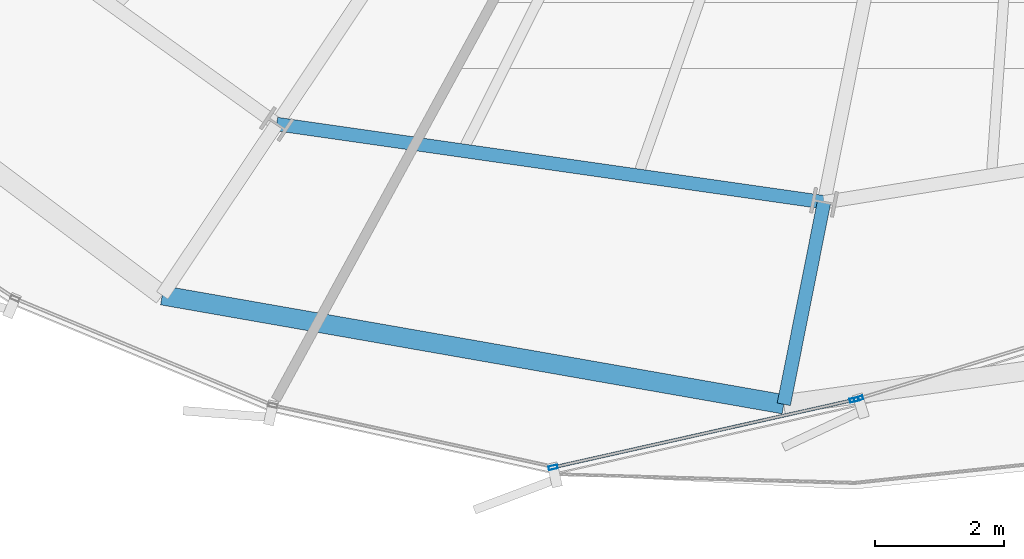
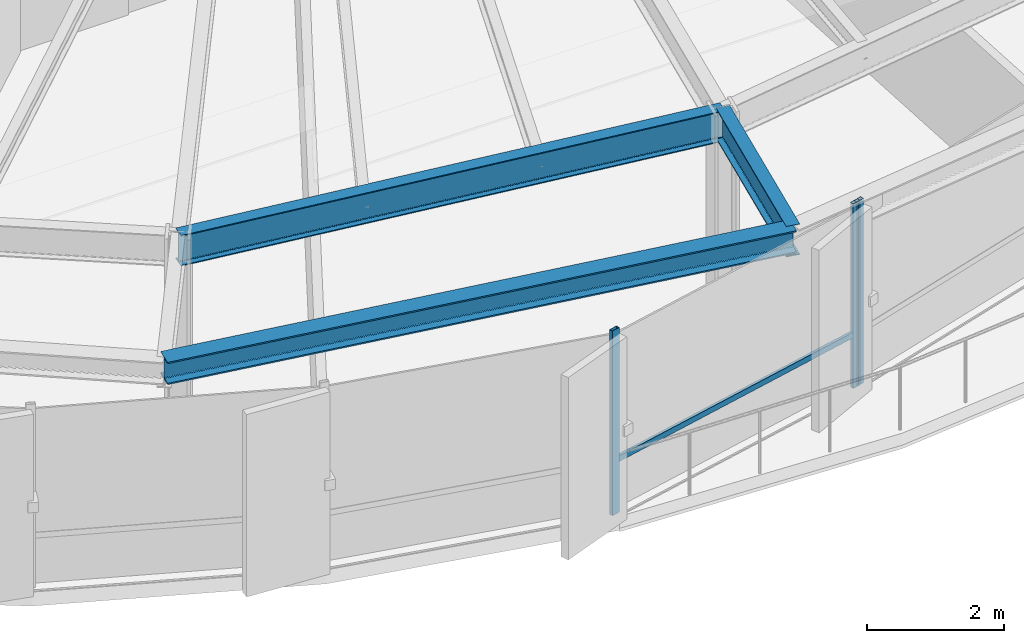
# One storey, part 5 of 36: 4 members, 3 beams, 2 elements without a shape of their own.
"""IFC4 building model written with IfcOpenShell, lengths in metres."""

from ifc_helpers import new_model, si_unit, direction, frame, origin, origin_2d, place, context, subcontext, project, spatial, hollow_rectangle, i_section, extrude, source, transform, mapped, material, layer, layer_set, material_profile, profile_set, type_object, element, aggregate, save


model = new_model("IFC4")

# Units and contexts
model_context = context("Model", 3, precision=1e-05, world=origin(), true_north=direction((0.0, 1.0)))
body_context = subcontext(model_context, "Body", "Model", "MODEL_VIEW")
ifc_project = project(units=[si_unit("LENGTHUNIT", "METRE"), si_unit("AREAUNIT", "SQUARE_METRE"), si_unit("VOLUMEUNIT", "CUBIC_METRE"), si_unit("PLANEANGLEUNIT", "RADIAN"), si_unit("MASSUNIT", "GRAM", prefix="KILO"), si_unit("THERMODYNAMICTEMPERATUREUNIT", "KELVIN")], contexts=[model_context])

# Site, building, storey
site_placement = place(None, origin())
site = spatial("IfcSite", under=ifc_project, at=site_placement, CompositionType="ELEMENT")
building_placement = place(site_placement, origin())
building = spatial("IfcBuilding", under=site, at=building_placement, Name="Kethvar Cultural Tower", CompositionType="ELEMENT")
storey_placement = place(building_placement, frame((0.0, 0.0, 143.0)))
storey = spatial("IfcBuildingStorey", under=building, at=storey_placement, Name="L36", CompositionType="ELEMENT", Elevation=143.0)

# Beams
ifc_material_1 = material(Name="Steel S355J2", Category="steel")
ifc_material_profile_1 = material_profile(ifc_material_1, i_section(OverallWidth=0.2099609375, OverallDepth=0.550048828125, WebThickness=0.010986328125, FlangeThickness=0.01708984375, FilletRadius=0.02392578125, at=origin_2d()), Name="Steel S355J2 — IPE550")
ifc_profile_set_1 = profile_set([ifc_material_profile_1], Name="Steel S355J2 — IPE550")
beam_type_1 = type_object("IfcBeamType", Name="BM-IPE550", PredefinedType="BEAM", material=ifc_profile_set_1)
shared_shape_1 = source(origin(), body_context, "Body", "SweptSolid", [
    extrude(i_section(OverallWidth=0.2099609375, OverallDepth=0.550048828125, WebThickness=0.010986328125, FlangeThickness=0.01708984375, FilletRadius=0.02392578125, at=origin_2d()), origin(), (0.0, 0.0, 1.0), 3.2001953125),
])
beam_1_placement = place(storey_placement, frame((42.852294921875, 7.95361328125, 3.02294921875), z_axis=(-0.195074368086, -0.980788453702, 0.0), x_axis=(0.980788453702, -0.195074368086, 0.0)))
element("IfcBeam", 1, at=beam_1_placement, inside=storey, type_object=beam_type_1, Name="L36 Perimeter Cantilever Beam RC-12", PredefinedType="BEAM", context=body_context, shape_type="MappedRepresentation", body=[
    mapped(shared_shape_1, transform((0.0, 0.0, 0.0), scale=1.0)),
])
shared_shape_2 = source(origin(), body_context, "Body", "SweptSolid", [
    extrude(i_section(OverallWidth=0.2099609375, OverallDepth=0.550048828125, WebThickness=0.010986328125, FlangeThickness=0.01708984375, FilletRadius=0.02392578125, at=origin_2d()), origin(), (0.0, 0.0, 1.0), 8.587890625),
])
beam_2_placement = place(storey_placement, frame((34.350830078125, 9.16845703125, 3.02294921875), z_axis=(0.989943807123, -0.141461156288, 0.0), x_axis=(0.141461156288, 0.989943807123, 0.0)))
element("IfcBeam", 2, at=beam_2_placement, inside=storey, type_object=beam_type_1, Name="L36 Column Ring Tie Beam CR-11", PredefinedType="BEAM", context=body_context, shape_type="MappedRepresentation", body=[
    mapped(shared_shape_2, transform((0.0, 0.0, 0.0), scale=1.0)),
])
ifc_material_profile_2 = material_profile(ifc_material_1, i_section(OverallWidth=0.300048828125, OverallDepth=0.39990234375, WebThickness=0.013427734375, FlangeThickness=0.02392578125, FilletRadius=0.027099609375, at=origin_2d()), Name="Steel S355J2 — HEB400")
ifc_profile_set_2 = profile_set([ifc_material_profile_2], Name="Steel S355J2 — HEB400")
beam_type_2 = type_object("IfcBeamType", Name="BM-SP400", PredefinedType="SPANDREL", material=ifc_profile_set_2)
shared_shape_3 = source(origin(), body_context, "Body", "SweptSolid", [
    extrude(i_section(OverallWidth=0.300048828125, OverallDepth=0.39990234375, WebThickness=0.013427734375, FlangeThickness=0.02392578125, FilletRadius=0.027099609375, at=origin_2d()), origin(), (0.0, 0.0, 1.0), 9.80224609375),
])
beam_3_placement = place(storey_placement, frame((32.572998046875, 6.5078125, 3.097900390625), z_axis=(0.984974273513, -0.172701130618, 0.0), x_axis=(0.172701130618, 0.984974273513, 0.0)))
element("IfcBeam", 3, at=beam_3_placement, inside=storey, type_object=beam_type_2, Name="L36 Perimeter Spandrel Beam SP-11", PredefinedType="SPANDREL", context=body_context, shape_type="MappedRepresentation", body=[
    mapped(shared_shape_3, transform((0.0, 0.0, 0.0), scale=1.0)),
])

# Curtain wall, members
ifc_material_2 = material(Name="Aluminium 6063-T6", Category="aluminium")
ifc_layer = layer(ifc_material_2, 0.179931640625, Name="Aluminium 6063-T6", Category="aluminium")
ifc_layer_set = layer_set([ifc_layer], Name="Aluminium 6063-T6 (180 mm)")
curtain_wall_type = type_object("IfcCurtainWallType", Name="CW-SYS-04-Z34", PredefinedType="NOTDEFINED", material=ifc_layer_set)
curtain_wall_1_placement = place(storey_placement, origin())
curtain_wall_1 = element("IfcCurtainWall", 4, at=curtain_wall_1_placement, inside=storey, type_object=curtain_wall_type, Name="L36 Curtain Wall Run 04", PredefinedType="NOTDEFINED")
ifc_material_profile_3 = material_profile(ifc_material_2, hollow_rectangle(XDim=0.06005859375, YDim=0.139892578125, WallThickness=0.0048828125, at=origin_2d()), Name="Aluminium 6063-T6 — RHS140x60x5")
ifc_profile_set_3 = profile_set([ifc_material_profile_3], Name="Aluminium 6063-T6 — RHS140x60x5")
member_type_1 = type_object("IfcMemberType", Name="CW-SYS-04-Z34-MUL", PredefinedType="MULLION", material=ifc_profile_set_3)
shared_shape_4 = source(origin(), body_context, "Body", "SweptSolid", [
    extrude(hollow_rectangle(XDim=0.06005859375, YDim=0.139892578125, WallThickness=0.0048828125, at=origin_2d()), origin(), (0.0, 0.0, 1.0), 3.300048828125),
])
member_1_placement = place(storey_placement, frame((38.643310546875, 3.835205078125, 0.0), z_axis=(0.0, 0.0, 1.0), x_axis=(-0.218994806262, 0.975726024471, 0.0)))
member_1 = element("IfcMember", 5, at=member_1_placement, type_object=member_type_1, Name="CW-L36-R04 Mullion 6", PredefinedType="MULLION", context=body_context, shape_type="MappedRepresentation", body=[
    mapped(shared_shape_4, transform((0.0, 0.0, 0.0), scale=1.0)),
])
member_2_placement = place(storey_placement, frame((43.322265625, 4.88525390625, 0.0), z_axis=(0.0, 0.0, 1.0), x_axis=(-0.218994806262, 0.975726024471, 0.0)))
member_2 = element("IfcMember", 6, at=member_2_placement, type_object=member_type_1, Name="CW-L36-R04 Mullion 7", PredefinedType="MULLION", context=body_context, shape_type="MappedRepresentation", body=[
    mapped(shared_shape_4, transform((0.0, 0.0, 0.0), scale=1.0)),
])

# Curtain wall, member
curtain_wall_2_placement = place(storey_placement, origin())
curtain_wall_2 = element("IfcCurtainWall", 7, at=curtain_wall_2_placement, inside=storey, type_object=curtain_wall_type, Name="L36 Curtain Wall Run 05", PredefinedType="NOTDEFINED")
member_3_placement = place(storey_placement, frame((43.38916015625, 4.903076171875, 0.0), z_axis=(0.0, 0.0, 1.0), x_axis=(-0.294173776246, 0.955751949707, 0.0)))
member_3 = element("IfcMember", 8, at=member_3_placement, type_object=member_type_1, Name="CW-L36-R05 Mullion 1", PredefinedType="MULLION", context=body_context, shape_type="MappedRepresentation", body=[
    mapped(shared_shape_4, transform((0.0, 0.0, 0.0), scale=1.0)),
])
aggregate(curtain_wall_2, [member_3])

# Member
ifc_material_profile_4 = material_profile(ifc_material_2, hollow_rectangle(XDim=0.050048828125, YDim=0.10009765625, WallThickness=0.00390625, at=origin_2d()), Name="Aluminium 6063-T6 — RHS100x50x4")
ifc_profile_set_4 = profile_set([ifc_material_profile_4], Name="Aluminium 6063-T6 — RHS100x50x4")
member_type_2 = type_object("IfcMemberType", Name="CW-SYS-04-Z34-TRN", PredefinedType="USERDEFINED", material=ifc_profile_set_4)
shared_shape_5 = source(origin(), body_context, "Body", "SweptSolid", [
    extrude(hollow_rectangle(XDim=0.050048828125, YDim=0.10009765625, WallThickness=0.00390625, at=origin_2d()), origin(), (0.0, 0.0, 1.0), 4.748046875),
])
member_4_placement = place(storey_placement, frame((38.685302734375, 3.844482421875, 0.949951171875), z_axis=(0.975715355016, 0.219042338341, 0.0), x_axis=(-0.219042338341, 0.975715355016, 0.0)))
member_4 = element("IfcMember", 9, at=member_4_placement, type_object=member_type_2, Name="CW-L36-R04 Transom 6", ObjectType="TRANSOM", PredefinedType="USERDEFINED", context=body_context, shape_type="MappedRepresentation", body=[
    mapped(shared_shape_5, transform((0.0, 0.0, 0.0), scale=1.0)),
])

aggregate(curtain_wall_1, [member_1, member_2, member_4])

save(model, "model.ifc")
